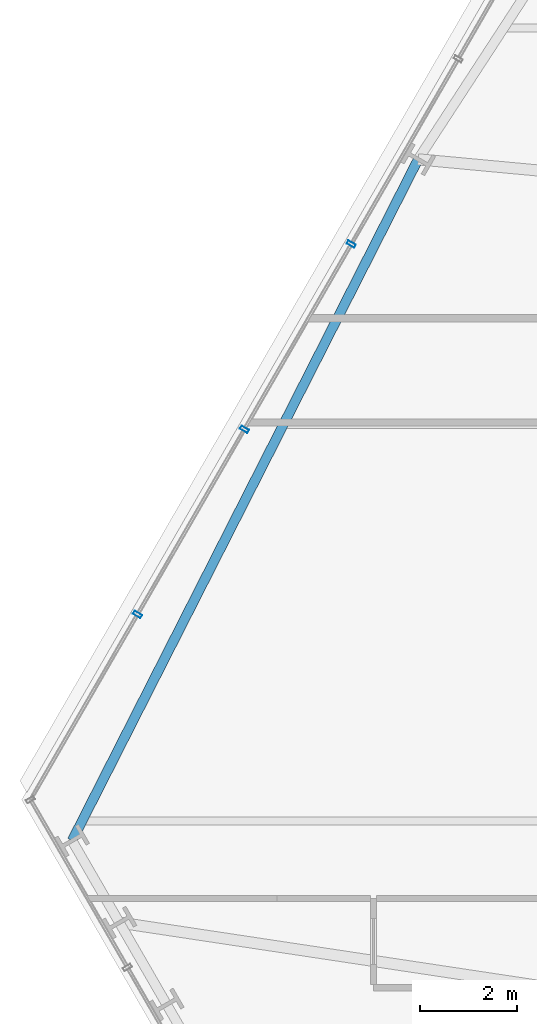
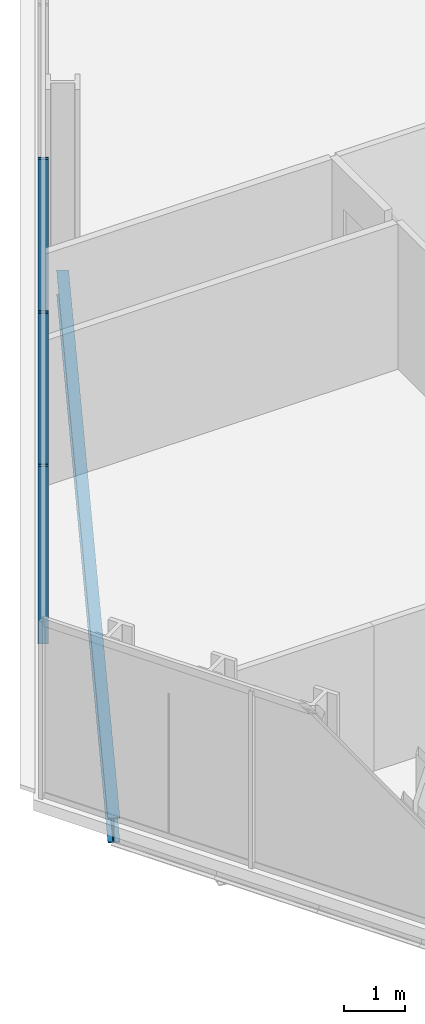
# One storey, part 10 of 32: 3 members, 1 beam, 1 element without a shape of its own.
"""IFC4 building model written with IfcOpenShell, lengths in metres."""

from ifc_helpers import new_model, si_unit, direction, frame, origin, origin_2d, place, context, subcontext, project, spatial, hollow_rectangle, i_section, extrude, material, layer, layer_set, material_profile, profile_set, type_object, element, aggregate, save


model = new_model("IFC4")

# Units and contexts
model_context = context("Model", 3, precision=1e-05, world=origin(), true_north=direction((0.0, 1.0)))
body_context = subcontext(model_context, "Body", "Model", "MODEL_VIEW")
ifc_project = project(units=[si_unit("LENGTHUNIT", "METRE"), si_unit("AREAUNIT", "SQUARE_METRE"), si_unit("VOLUMEUNIT", "CUBIC_METRE"), si_unit("PLANEANGLEUNIT", "RADIAN"), si_unit("MASSUNIT", "GRAM", prefix="KILO")], contexts=[model_context])

# Site, building, storey
site_placement = place(None, origin())
site = spatial("IfcSite", under=ifc_project, at=site_placement, CompositionType="ELEMENT")
building_placement = place(site_placement, origin())
building = spatial("IfcBuilding", under=site, at=building_placement, Name="Ndaravel Arena Tower", CompositionType="ELEMENT")
storey_placement = place(building_placement, frame((0.0, 0.0, 47.39990234375)))
storey = spatial("IfcBuildingStorey", under=building, at=storey_placement, Name="L09", CompositionType="ELEMENT", Elevation=47.39990234375)

# Beam
ifc_material_1 = material(Name="Steel S355", Category="steel")
ifc_material_profile_1 = material_profile(ifc_material_1, i_section(OverallWidth=0.199951171875, OverallDepth=0.5, WebThickness=0.01025390625, FlangeThickness=0.01611328125, FilletRadius=0.02099609375, at=origin_2d()), Name="IPE 500")
ifc_profile_set_1 = profile_set([ifc_material_profile_1], Name="Steel S355")
beam_type = type_object("IfcBeamType", Name="BM-SPAN-IPE500", PredefinedType="SPANDREL", material=ifc_profile_set_1)
beam_placement = place(storey_placement, frame((26.523681640625, 32.285400390625, -0.469970703125), z_axis=(-0.452845189288, -0.891589162416, 0.0), x_axis=(0.891589162416, -0.452845189288, 0.0)))
element("IfcBeam", 1, at=beam_placement, inside=storey, type_object=beam_type, Name="L09 Perimeter Spandrel Beam SP-19", PredefinedType="SPANDREL", context=body_context, shape_type="SweptSolid", body=[
    extrude(i_section(OverallWidth=0.199951171875, OverallDepth=0.5, WebThickness=0.01025390625, FlangeThickness=0.01611328125, FilletRadius=0.02099609375, at=origin_2d()), origin(), (0.0, 0.0, 1.0), 15.80712890625),
])

# Curtain wall, members
ifc_material_2 = material(Name="Aluminium", Category="aluminium")
ifc_layer = layer(ifc_material_2, 0.179931640625)
ifc_layer_set = layer_set([ifc_layer], Name="Aluminium")
curtain_wall_type = type_object("IfcCurtainWallType", Name="CW-SYS-03", PredefinedType="NOTDEFINED", material=ifc_layer_set)
curtain_wall_placement = place(storey_placement, origin())
curtain_wall = element("IfcCurtainWall", 2, at=curtain_wall_placement, inside=storey, type_object=curtain_wall_type, Name="L09 Faceted Crystal Curtain Wall CW-L09-E05", PredefinedType="NOTDEFINED")
ifc_material_3 = material(Name="Aluminium", Category="aluminium")
ifc_material_profile_2 = material_profile(ifc_material_3, hollow_rectangle(XDim=0.074951171875, YDim=0.179931640625, WallThickness=0.00390625, at=origin_2d()), Name="CW MULLION 75x180x4")
ifc_profile_set_2 = profile_set([ifc_material_profile_2], Name="Aluminium")
member_type = type_object("IfcMemberType", Name="MEM-CW-MUL180", PredefinedType="MULLION", material=ifc_profile_set_2)
member_1_placement = place(storey_placement, frame((25.14111328125, 30.5302734375, 0.0), z_axis=(0.0, 0.0, 1.0), x_axis=(-0.5, -0.866025403784, 0.0)))
member_1 = element("IfcMember", 3, at=member_1_placement, type_object=member_type, Name="CW-L09-E05 Mullion 04", PredefinedType="MULLION", context=body_context, shape_type="SweptSolid", body=[
    extrude(hollow_rectangle(XDim=0.074951171875, YDim=0.179931640625, WallThickness=0.00390625, at=origin_2d()), origin(), (0.0, 0.0, 1.0), 3.580078125),
])
member_2_placement = place(storey_placement, frame((22.9296875, 26.699951171875, 0.0), z_axis=(0.0, 0.0, 1.0), x_axis=(-0.5, -0.866025403784, 0.0)))
member_2 = element("IfcMember", 4, at=member_2_placement, type_object=member_type, Name="CW-L09-E05 Mullion 05", PredefinedType="MULLION", context=body_context, shape_type="SweptSolid", body=[
    extrude(hollow_rectangle(XDim=0.074951171875, YDim=0.179931640625, WallThickness=0.00390625, at=origin_2d()), origin(), (0.0, 0.0, 1.0), 3.580078125),
])
member_3_placement = place(storey_placement, frame((20.71826171875, 22.869873046875, 0.0), z_axis=(0.0, 0.0, 1.0), x_axis=(-0.5, -0.866025403784, 0.0)))
member_3 = element("IfcMember", 5, at=member_3_placement, type_object=member_type, Name="CW-L09-E05 Mullion 06", PredefinedType="MULLION", context=body_context, shape_type="SweptSolid", body=[
    extrude(hollow_rectangle(XDim=0.074951171875, YDim=0.179931640625, WallThickness=0.00390625, at=origin_2d()), origin(), (0.0, 0.0, 1.0), 3.580078125),
])
aggregate(curtain_wall, [member_1, member_2, member_3])

save(model, "model.ifc")
